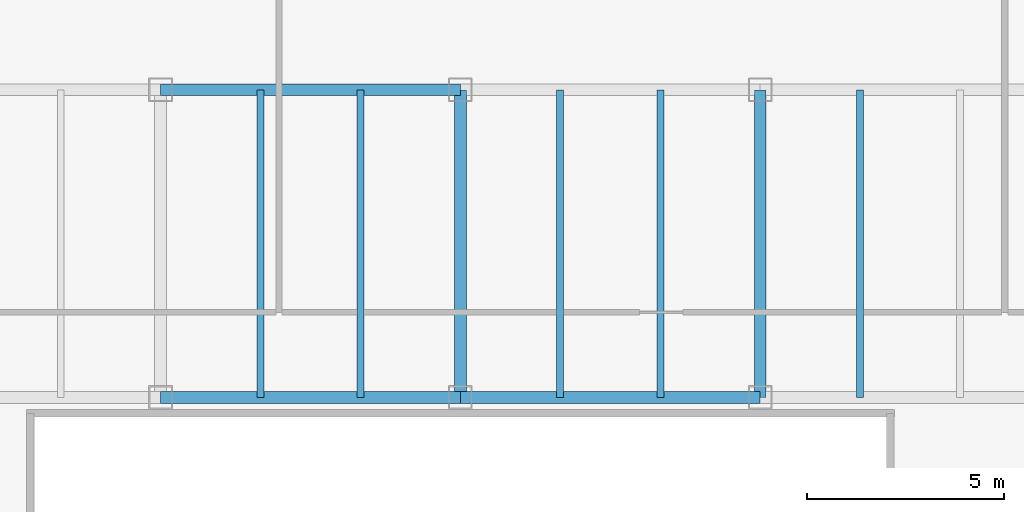
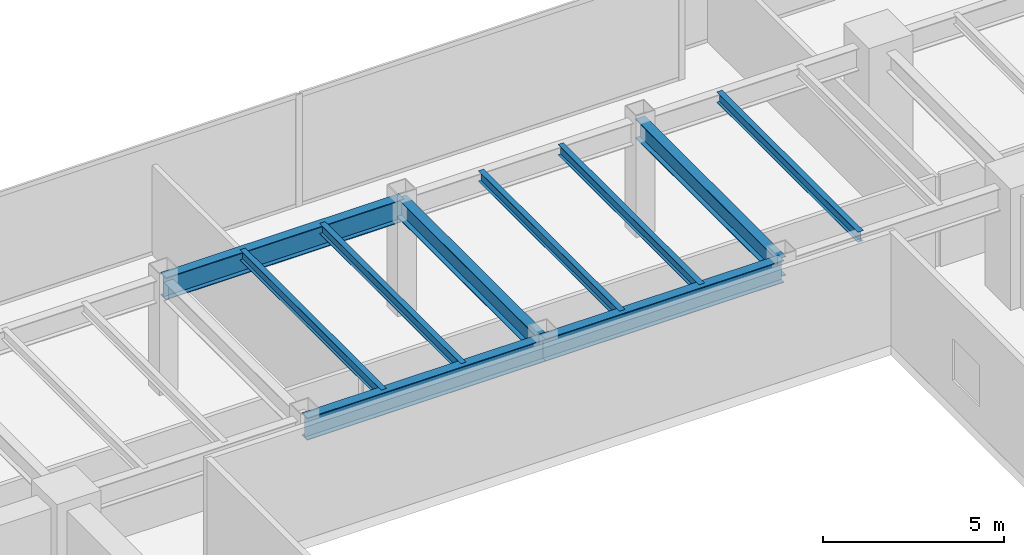
# One storey, part 17 of 35: 10 beams.
"""IFC4 building model written with IfcOpenShell, lengths in metres."""

from ifc_helpers import new_model, si_unit, direction, frame, origin, origin_2d, place, context, subcontext, project, spatial, i_section, extrude, source, transform, mapped, material, material_profile, profile_set, type_object, type_shapes, element, save


model = new_model("IFC4")

# Units and contexts
model_context = context("Model", 3, precision=1e-05, world=origin(), true_north=direction((0.0, 1.0)))
body_context = subcontext(model_context, "Body", "Model", "MODEL_VIEW")
ifc_project = project(units=[si_unit("LENGTHUNIT", "METRE"), si_unit("AREAUNIT", "SQUARE_METRE"), si_unit("VOLUMEUNIT", "CUBIC_METRE"), si_unit("PLANEANGLEUNIT", "RADIAN"), si_unit("MASSUNIT", "GRAM", prefix="KILO")], contexts=[model_context])

# Site, building, storey
site_placement = place(None, origin())
site = spatial("IfcSite", under=ifc_project, at=site_placement, CompositionType="ELEMENT")
building_placement = place(site_placement, origin())
building = spatial("IfcBuilding", under=site, at=building_placement, Name="Haelvirn Gate Laboratories", CompositionType="ELEMENT")
storey_placement = place(building_placement, frame((0.0, 0.0, 90.800048828125)))
storey = spatial("IfcBuildingStorey", under=building, at=storey_placement, Name="L22", CompositionType="ELEMENT", Elevation=90.800048828125)

# Beams
ifc_material = material(Name="Steel SM355", Category="steel")
ifc_material_profile_1 = material_profile(ifc_material, i_section(OverallWidth=0.300048828125, OverallDepth=0.75, WebThickness=0.013916015625, FlangeThickness=0.02392578125, at=origin_2d()), Name="H-750x300x14x24")
ifc_profile_set_1 = profile_set([ifc_material_profile_1], Name="Steel SM355")
beam_type_1 = type_object("IfcBeamType", Name="BM-G-750", PredefinedType="BEAM", material=ifc_profile_set_1)
shared_shape_1 = source(origin(), body_context, "Body", "SweptSolid", [
    extrude(i_section(OverallWidth=0.300048828125, OverallDepth=0.75, WebThickness=0.013916015625, FlangeThickness=0.02392578125, at=origin_2d()), origin(), (0.0, 0.0, 1.0), 7.60009765625),
])
beam_placement = place(storey_placement, frame((37.39990234375, 33.800048828125, 3.405029296875), z_axis=(1.0, 0.0, 0.0), x_axis=(0.0, 1.0, 0.0)))
element("IfcBeam", 1, at=beam_placement, inside=storey, type_object=beam_type_1, Name="L22 Primary Girder Y33.8 (37.4-45.0)", PredefinedType="BEAM", context=body_context, shape_type="MappedRepresentation", body=[
    mapped(shared_shape_1, transform((0.0, 0.0, 0.0), scale=1.0)),
])
shared_shape_2 = source(origin(), body_context, "Body", "SweptSolid", [
    extrude(i_section(OverallWidth=0.300048828125, OverallDepth=0.75, WebThickness=0.013916015625, FlangeThickness=0.02392578125, at=origin_2d()), origin(), (0.0, 0.0, 1.0), 7.599853515625),
])
type_shapes(beam_type_1, [shared_shape_1, shared_shape_2])
for number, where, z_axis, x_axis, name in (
    (2, (29.800048828125, 33.800048828125, 3.405029296875), (1.0, 0.0, 0.0), (0.0, 1.0, 0.0), "L22 Primary Girder Y33.8 (29.8-37.4)"),
    (3, (29.800048828125, 41.60009765625, 3.405029296875), (1.0, 0.0, 0.0), (0.0, 1.0, 0.0), "L22 Primary Girder Y41.6 (29.8-37.4)"),
):
    element("IfcBeam", number, at=place(storey_placement, frame(where, z_axis=z_axis, x_axis=x_axis)), inside=storey, type_object=beam_type_1, Name=name, PredefinedType="BEAM", context=body_context, shape_type="MappedRepresentation", body=[
        mapped(shared_shape_2, transform((0.0, 0.0, 0.0), scale=1.0)),
    ])
ifc_material_profile_2 = material_profile(ifc_material, i_section(OverallWidth=0.175048828125, OverallDepth=0.35009765625, WebThickness=0.007080078125, FlangeThickness=0.010986328125, at=origin_2d()), Name="H-350x175x7x11")
ifc_profile_set_2 = profile_set([ifc_material_profile_2], Name="Steel SM355")
beam_type_2 = type_object("IfcBeamType", Name="BM-J-350", PredefinedType="JOIST", material=ifc_profile_set_2)
shared_shape_3 = source(origin(), body_context, "Body", "SweptSolid", [
    extrude(i_section(OverallWidth=0.175048828125, OverallDepth=0.35009765625, WebThickness=0.007080078125, FlangeThickness=0.010986328125, at=origin_2d()), origin(), (0.0, 0.0, 1.0), 7.800048828125),
])
type_shapes(beam_type_2, [shared_shape_3])
for number, where, z_axis, x_axis, name in (
    (4, (32.330078125, 33.800048828125, 3.60498046875), (0.0, 1.0, 0.0), (-1.0, 0.0, 0.0), "L22 Composite Lab Joist North X32.33"),
    (5, (34.8701171875, 33.800048828125, 3.60498046875), (0.0, 1.0, 0.0), (-1.0, 0.0, 0.0), "L22 Composite Lab Joist North X34.87"),
    (6, (39.929931640625, 33.800048828125, 3.60498046875), (0.0, 1.0, 0.0), (-1.0, 0.0, 0.0), "L22 Composite Lab Joist North X39.93"),
    (7, (42.469970703125, 33.800048828125, 3.60498046875), (0.0, 1.0, 0.0), (-1.0, 0.0, 0.0), "L22 Composite Lab Joist North X42.47"),
    (8, (47.530029296875, 33.800048828125, 3.60498046875), (0.0, 1.0, 0.0), (-1.0, 0.0, 0.0), "L22 Composite Lab Joist North X47.53"),
):
    element("IfcBeam", number, at=place(storey_placement, frame(where, z_axis=z_axis, x_axis=x_axis)), inside=storey, type_object=beam_type_2, Name=name, PredefinedType="JOIST", context=body_context, shape_type="MappedRepresentation", body=[
        mapped(shared_shape_3, transform((0.0, 0.0, 0.0), scale=1.0)),
    ])
ifc_material_profile_3 = material_profile(ifc_material, i_section(OverallWidth=0.300048828125, OverallDepth=0.64990234375, WebThickness=0.012939453125, FlangeThickness=0.02197265625, at=origin_2d()), Name="H-650x300x13x22")
ifc_profile_set_3 = profile_set([ifc_material_profile_3], Name="Steel SM355")
beam_type_3 = type_object("IfcBeamType", Name="BM-G-650", PredefinedType="BEAM", material=ifc_profile_set_3)
shared_shape_4 = source(origin(), body_context, "Body", "SweptSolid", [
    extrude(i_section(OverallWidth=0.300048828125, OverallDepth=0.64990234375, WebThickness=0.012939453125, FlangeThickness=0.02197265625, at=origin_2d()), origin(), (0.0, 0.0, 1.0), 7.800048828125),
])
type_shapes(beam_type_3, [shared_shape_4])
for number, where, z_axis, x_axis, name in (
    (9, (37.39990234375, 33.800048828125, 3.454833984375), (0.0, 1.0, 0.0), (-1.0, 0.0, 0.0), "L22 Frame Girder X37.4 (33.8-41.6)"),
    (10, (45.0, 33.800048828125, 3.454833984375), (0.0, 1.0, 0.0), (-1.0, 0.0, 0.0), "L22 Frame Girder X45.0 (33.8-41.6)"),
):
    element("IfcBeam", number, at=place(storey_placement, frame(where, z_axis=z_axis, x_axis=x_axis)), inside=storey, type_object=beam_type_3, Name=name, PredefinedType="BEAM", context=body_context, shape_type="MappedRepresentation", body=[
        mapped(shared_shape_4, transform((0.0, 0.0, 0.0), scale=1.0)),
    ])

save(model, "model.ifc")
